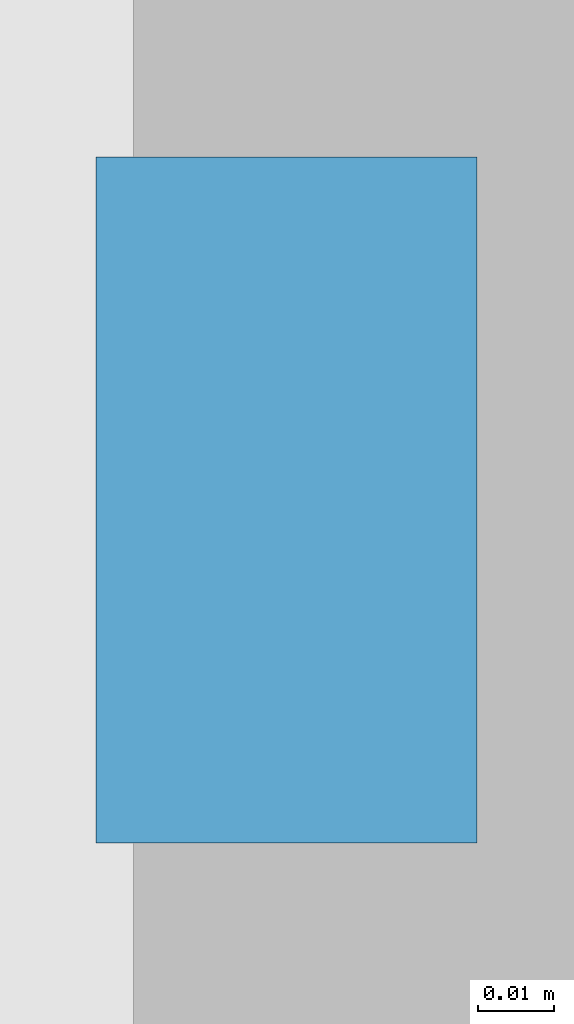
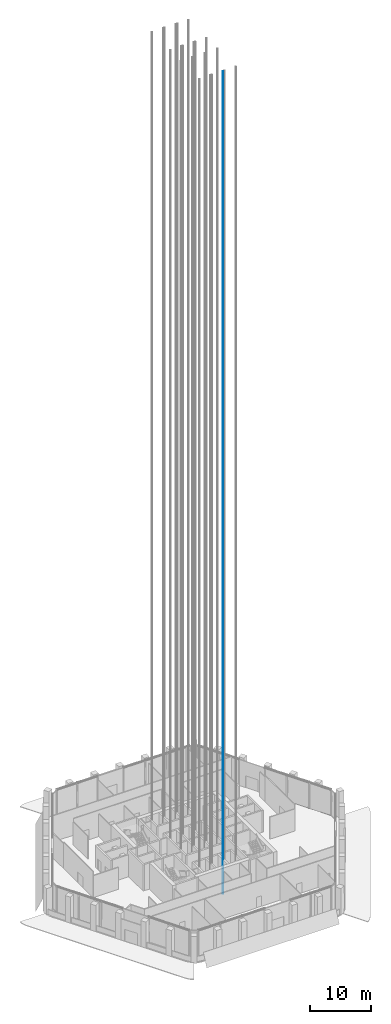
# One storey, part 18 of 42: 1 discrete accessory.
"""IFC4 building model written with IfcOpenShell, lengths in metres."""

from ifc_helpers import new_model, si_unit, direction, frame, origin, origin_2d, place, context, subcontext, project, spatial, rectangle, extrude, element, save


model = new_model("IFC4")

# Units and contexts
model_context = context("Model", 3, precision=1e-05, world=origin(), true_north=direction((0.0, 1.0)))
body_context = subcontext(model_context, "Body", "Model", "MODEL_VIEW")
ifc_project = project(units=[si_unit("LENGTHUNIT", "METRE"), si_unit("AREAUNIT", "SQUARE_METRE"), si_unit("VOLUMEUNIT", "CUBIC_METRE"), si_unit("PLANEANGLEUNIT", "RADIAN"), si_unit("MASSUNIT", "GRAM", prefix="KILO")], contexts=[model_context])

# Site, building, storey
site_placement = place(None, origin())
site = spatial("IfcSite", under=ifc_project, at=site_placement, CompositionType="ELEMENT")
building_placement = place(site_placement, origin())
building = spatial("IfcBuilding", under=site, at=building_placement, Name="Kolab Exchange Tower", CompositionType="ELEMENT")
storey_placement = place(building_placement, frame((0.0, 0.0, 133.39990234375)))
storey = spatial("IfcBuildingStorey", under=building, at=storey_placement, Name="L26", CompositionType="ELEMENT", Elevation=133.39990234375)

# Discrete accessory
discrete_accessory_placement = place(storey_placement, frame((1.070068359375, -7.800048828125, -1.599853515625), z_axis=(0.0, 0.0, 1.0), x_axis=(1.0, 0.0, 0.0)))
element("IfcDiscreteAccessory", 1, at=discrete_accessory_placement, inside=storey, Name="Guide rail HR11-2", ObjectType="GUIDE RAIL", PredefinedType="USERDEFINED", context=body_context, shape_type="SweptSolid", body=[
    extrude(rectangle(XDim=0.050048828125, YDim=0.090087890625, at=origin_2d()), origin(), (0.0, 0.0, 1.0), 165.60009765625),
])

save(model, "model.ifc")
